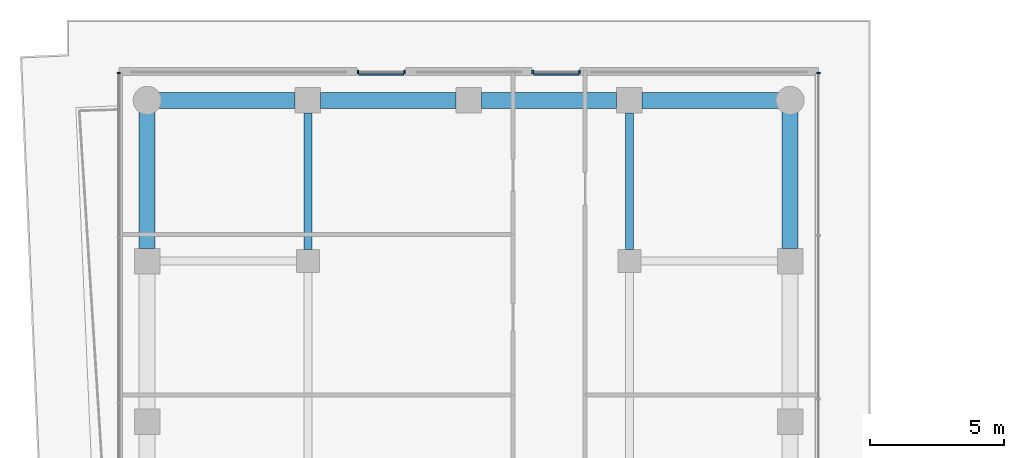
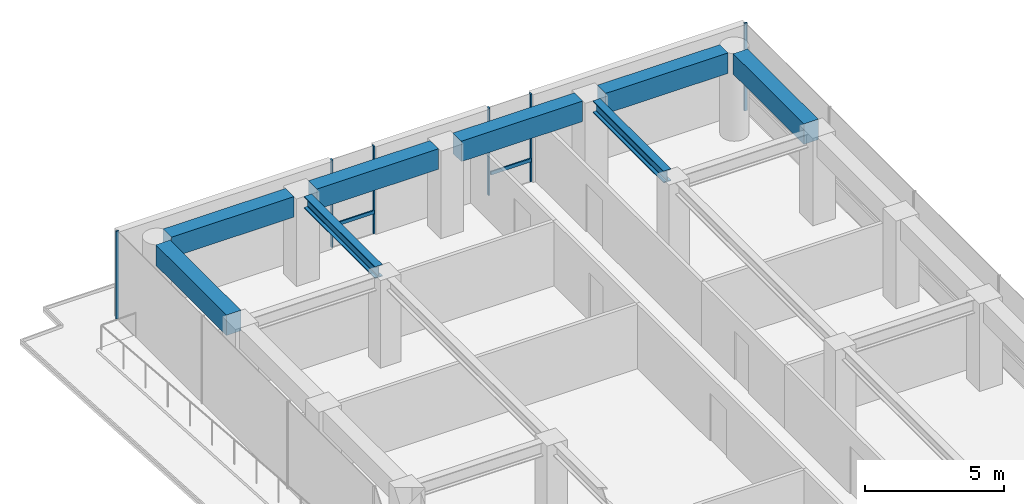
# One storey, part 21 of 29: 8 beams, 8 members, 4 elements without a shape of their own.
"""IFC4 building model written with IfcOpenShell, lengths in metres."""

from ifc_helpers import new_model, si_unit, direction, frame, origin, origin_2d, place, context, subcontext, project, spatial, rectangle, i_section, extrude, material, layer, layer_set, material_profile, profile_set, type_object, element, aggregate, save


model = new_model("IFC4")

# Units and contexts
model_context = context("Model", 3, precision=1e-05, world=origin(), true_north=direction((0.0, 1.0)))
body_context = subcontext(model_context, "Body", "Model", "MODEL_VIEW")
ifc_project = project(units=[si_unit("LENGTHUNIT", "METRE"), si_unit("AREAUNIT", "SQUARE_METRE"), si_unit("VOLUMEUNIT", "CUBIC_METRE"), si_unit("PLANEANGLEUNIT", "RADIAN"), si_unit("MASSUNIT", "GRAM", prefix="KILO")], contexts=[model_context])

# Site, building, storey
site_placement = place(None, origin())
site = spatial("IfcSite", under=ifc_project, at=site_placement, CompositionType="ELEMENT")
building_placement = place(site_placement, origin())
building = spatial("IfcBuilding", under=site, at=building_placement, Name="Welwitschia Terrace Campus", CompositionType="ELEMENT")
storey_placement = place(building_placement, frame((0.0, 0.0, 62.60009765625)))
storey = spatial("IfcBuildingStorey", under=building, at=storey_placement, Name="L14", CompositionType="ELEMENT", Elevation=62.60009765625)

# Beams
ifc_material_1 = material(Name="Steel S355", Category="steel")
ifc_material_profile_1 = material_profile(ifc_material_1, i_section(OverallWidth=0.305908203125, OverallDepth=0.52392578125, WebThickness=0.02099609375, FlangeThickness=0.0400390625, FilletRadius=0.027099609375, at=origin_2d()))
ifc_profile_set_1 = profile_set([ifc_material_profile_1], Name="Steel S355")
beam_type_1 = type_object("IfcBeamType", Name="Interior girder HE 500 M", PredefinedType="BEAM", material=ifc_profile_set_1)
for number, where, z_axis, x_axis, name in (
    (1, (6.0, 56.425537109375, 3.587890625), (0.0, 1.0, 0.0), (-1.0, 0.0, 0.0), "Girder GB2"),
    (2, (18.0, 56.425537109375, 3.587890625), (0.0, 1.0, 0.0), (-1.0, 0.0, 0.0), "Girder GB2"),
):
    element("IfcBeam", number, at=place(storey_placement, frame(where, z_axis=z_axis, x_axis=x_axis)), inside=storey, type_object=beam_type_1, Name=name, PredefinedType="BEAM", context=body_context, shape_type="SweptSolid", body=[
        extrude(i_section(OverallWidth=0.305908203125, OverallDepth=0.52392578125, WebThickness=0.02099609375, FlangeThickness=0.0400390625, FilletRadius=0.027099609375, at=origin_2d()), origin(), (0.0, 0.0, 1.0), 5.10888671875),
    ])

# Curtain wall, member
ifc_material_2 = material(Name="Bronze anodised aluminium", Category="aluminium")
ifc_layer = layer(ifc_material_2, 0.1201171875)
ifc_layer_set = layer_set([ifc_layer], Name="Bronze anodised aluminium")
curtain_wall_type = type_object("IfcCurtainWallType", Name="Curtain wall CW2 tower 6000", PredefinedType="NOTDEFINED", material=ifc_layer_set)
curtain_wall_1_placement = place(storey_placement, origin())
curtain_wall_1 = element("IfcCurtainWall", 3, at=curtain_wall_1_placement, inside=storey, type_object=curtain_wall_type, Name="CW L14.10.0", PredefinedType="NOTDEFINED")
ifc_material_3 = material(Name="Bronze anodised aluminium", Category="aluminium")
ifc_material_profile_2 = material_profile(ifc_material_3, rectangle(XDim=0.1201171875, YDim=0.06005859375, at=origin_2d()))
ifc_profile_set_2 = profile_set([ifc_material_profile_2], Name="Bronze anodised aluminium")
member_type_1 = type_object("IfcMemberType", Name="Mullion 60x120", PredefinedType="MULLION", material=ifc_profile_set_2)
member_1_placement = place(storey_placement, frame((25.05810546875, 63.028076171875, 0.0), z_axis=(0.0, 0.0, 1.0), x_axis=(-1.0, 0.0, 0.0)))
member_1 = element("IfcMember", 4, at=member_1_placement, type_object=member_type_1, Name="Mullion L14.10.0.6", PredefinedType="MULLION", context=body_context, shape_type="SweptSolid", body=[
    extrude(rectangle(XDim=0.1201171875, YDim=0.06005859375, at=origin_2d()), origin(), (0.0, 0.0, 1.0), 3.849853515625),
])
aggregate(curtain_wall_1, [member_1])

# Curtain wall, members
curtain_wall_2_placement = place(storey_placement, origin())
curtain_wall_2 = element("IfcCurtainWall", 5, at=curtain_wall_2_placement, inside=storey, type_object=curtain_wall_type, Name="CW L14.11.S0", PredefinedType="NOTDEFINED")
member_2_placement = place(storey_placement, frame((16.134521484375, 63.05810546875, 0.0), z_axis=(0.0, 0.0, 1.0), x_axis=(0.0, -1.0, 0.0)))
member_2 = element("IfcMember", 6, at=member_2_placement, type_object=member_type_1, Name="Mullion L14.11.S0.0", PredefinedType="MULLION", context=body_context, shape_type="SweptSolid", body=[
    extrude(rectangle(XDim=0.1201171875, YDim=0.06005859375, at=origin_2d()), origin(), (0.0, 0.0, 1.0), 3.849853515625),
])
member_3_placement = place(storey_placement, frame((14.39453125, 63.05810546875, 0.0), z_axis=(0.0, 0.0, 1.0), x_axis=(0.0, -1.0, 0.0)))
member_3 = element("IfcMember", 7, at=member_3_placement, type_object=member_type_1, Name="Mullion L14.11.S0.1", PredefinedType="MULLION", context=body_context, shape_type="SweptSolid", body=[
    extrude(rectangle(XDim=0.1201171875, YDim=0.06005859375, at=origin_2d()), origin(), (0.0, 0.0, 1.0), 3.849853515625),
])

curtain_wall_3_placement = place(storey_placement, origin())
curtain_wall_3 = element("IfcCurtainWall", 8, at=curtain_wall_3_placement, inside=storey, type_object=curtain_wall_type, Name="CW L14.11.S1", PredefinedType="NOTDEFINED")
member_4_placement = place(storey_placement, frame((9.60546875, 63.05810546875, 0.0), z_axis=(0.0, 0.0, 1.0), x_axis=(0.0, -1.0, 0.0)))
member_4 = element("IfcMember", 9, at=member_4_placement, type_object=member_type_1, Name="Mullion L14.11.S1.0", PredefinedType="MULLION", context=body_context, shape_type="SweptSolid", body=[
    extrude(rectangle(XDim=0.1201171875, YDim=0.06005859375, at=origin_2d()), origin(), (0.0, 0.0, 1.0), 3.849853515625),
])
member_5_placement = place(storey_placement, frame((7.865478515625, 63.05810546875, 0.0), z_axis=(0.0, 0.0, 1.0), x_axis=(0.0, -1.0, 0.0)))
member_5 = element("IfcMember", 10, at=member_5_placement, type_object=member_type_1, Name="Mullion L14.11.S1.1", PredefinedType="MULLION", context=body_context, shape_type="SweptSolid", body=[
    extrude(rectangle(XDim=0.1201171875, YDim=0.06005859375, at=origin_2d()), origin(), (0.0, 0.0, 1.0), 3.849853515625),
])

# Curtain wall, member
curtain_wall_4_placement = place(storey_placement, origin())
curtain_wall_4 = element("IfcCurtainWall", 11, at=curtain_wall_4_placement, inside=storey, type_object=curtain_wall_type, Name="CW L14.12.0", PredefinedType="NOTDEFINED")
member_6_placement = place(storey_placement, frame((-1.05810546875, 63.028076171875, 0.0), z_axis=(0.0, 0.0, 1.0), x_axis=(1.0, 0.0, 0.0)))
member_6 = element("IfcMember", 12, at=member_6_placement, type_object=member_type_1, Name="Mullion L14.12.0.0", PredefinedType="MULLION", context=body_context, shape_type="SweptSolid", body=[
    extrude(rectangle(XDim=0.1201171875, YDim=0.06005859375, at=origin_2d()), origin(), (0.0, 0.0, 1.0), 3.849853515625),
])
aggregate(curtain_wall_4, [member_6])

# Beams
ifc_material_4 = material(Name="Concrete C60/75", Category="concrete")
ifc_material_profile_3 = material_profile(ifc_material_4, rectangle(XDim=0.60009765625, YDim=0.89990234375, at=origin_2d()))
ifc_profile_set_3 = profile_set([ifc_material_profile_3], Name="Concrete C60/75")
beam_type_2 = type_object("IfcBeamType", Name="Ring spandrel 600x900", PredefinedType="SPANDREL", material=ifc_profile_set_3)
for number, where, z_axis, x_axis, name in (
    (13, (24.0, 56.4755859375, 3.39990234375), (0.0, 1.0, 0.0), (-1.0, 0.0, 0.0), "Spandrel SP2"),
    (14, (23.568603515625, 62.0, 3.39990234375), (-1.0, 0.0, 0.0), (0.0, -1.0, 0.0), "Spandrel SP2"),
):
    element("IfcBeam", number, at=place(storey_placement, frame(where, z_axis=z_axis, x_axis=x_axis)), inside=storey, type_object=beam_type_2, Name=name, PredefinedType="SPANDREL", context=body_context, shape_type="SweptSolid", body=[
        extrude(rectangle(XDim=0.60009765625, YDim=0.89990234375, at=origin_2d()), origin(), (0.0, 0.0, 1.0), 5.093017578125),
    ])
for number, where, z_axis, x_axis, name in (
    (15, (17.5244140625, 62.0, 3.39990234375), (-1.0, 0.0, 0.0), (0.0, -1.0, 0.0), "Spandrel SP2"),
    (16, (11.5244140625, 62.0, 3.39990234375), (-1.0, 0.0, 0.0), (0.0, -1.0, 0.0), "Spandrel SP2"),
):
    element("IfcBeam", number, at=place(storey_placement, frame(where, z_axis=z_axis, x_axis=x_axis)), inside=storey, type_object=beam_type_2, Name=name, PredefinedType="SPANDREL", context=body_context, shape_type="SweptSolid", body=[
        extrude(rectangle(XDim=0.60009765625, YDim=0.89990234375, at=origin_2d()), origin(), (0.0, 0.0, 1.0), 5.048828125),
    ])
for number, where, z_axis, x_axis, name in (
    (17, (5.5244140625, 62.0, 3.39990234375), (-1.0, 0.0, 0.0), (0.0, -1.0, 0.0), "Spandrel SP2"),
    (18, (0.0, 61.568603515625, 3.39990234375), (0.0, -1.0, 0.0), (1.0, 0.0, 0.0), "Spandrel SP2"),
):
    element("IfcBeam", number, at=place(storey_placement, frame(where, z_axis=z_axis, x_axis=x_axis)), inside=storey, type_object=beam_type_2, Name=name, PredefinedType="SPANDREL", context=body_context, shape_type="SweptSolid", body=[
        extrude(rectangle(XDim=0.60009765625, YDim=0.89990234375, at=origin_2d()), origin(), (0.0, 0.0, 1.0), 5.093017578125),
    ])

# Member
ifc_material_5 = material(Name="Bronze anodised aluminium", Category="aluminium")
ifc_material_profile_4 = material_profile(ifc_material_5, rectangle(XDim=0.06005859375, YDim=0.14990234375, at=origin_2d()))
ifc_profile_set_4 = profile_set([ifc_material_profile_4], Name="Bronze anodised aluminium")
member_type_2 = type_object("IfcMemberType", Name="Transom 60x150", PredefinedType="USERDEFINED", material=ifc_profile_set_4)
member_7_placement = place(storey_placement, frame((16.1044921875, 62.968017578125, 1.0), z_axis=(-1.0, 0.0, 0.0), x_axis=(0.0, -1.0, 0.0)))
member_7 = element("IfcMember", 19, at=member_7_placement, type_object=member_type_2, Name="Transom L14.11.S0", ObjectType="TRANSOM", PredefinedType="USERDEFINED", context=body_context, shape_type="SweptSolid", body=[
    extrude(rectangle(XDim=0.06005859375, YDim=0.14990234375, at=origin_2d()), origin(), (0.0, 0.0, 1.0), 1.679931640625),
])

aggregate(curtain_wall_2, [member_2, member_3, member_7])

member_8_placement = place(storey_placement, frame((9.575439453125, 62.968017578125, 1.0), z_axis=(-1.0, 0.0, 0.0), x_axis=(0.0, -1.0, 0.0)))
member_8 = element("IfcMember", 20, at=member_8_placement, type_object=member_type_2, Name="Transom L14.11.S1", ObjectType="TRANSOM", PredefinedType="USERDEFINED", context=body_context, shape_type="SweptSolid", body=[
    extrude(rectangle(XDim=0.06005859375, YDim=0.14990234375, at=origin_2d()), origin(), (0.0, 0.0, 1.0), 1.679931640625),
])

aggregate(curtain_wall_3, [member_4, member_5, member_8])

save(model, "model.ifc")
